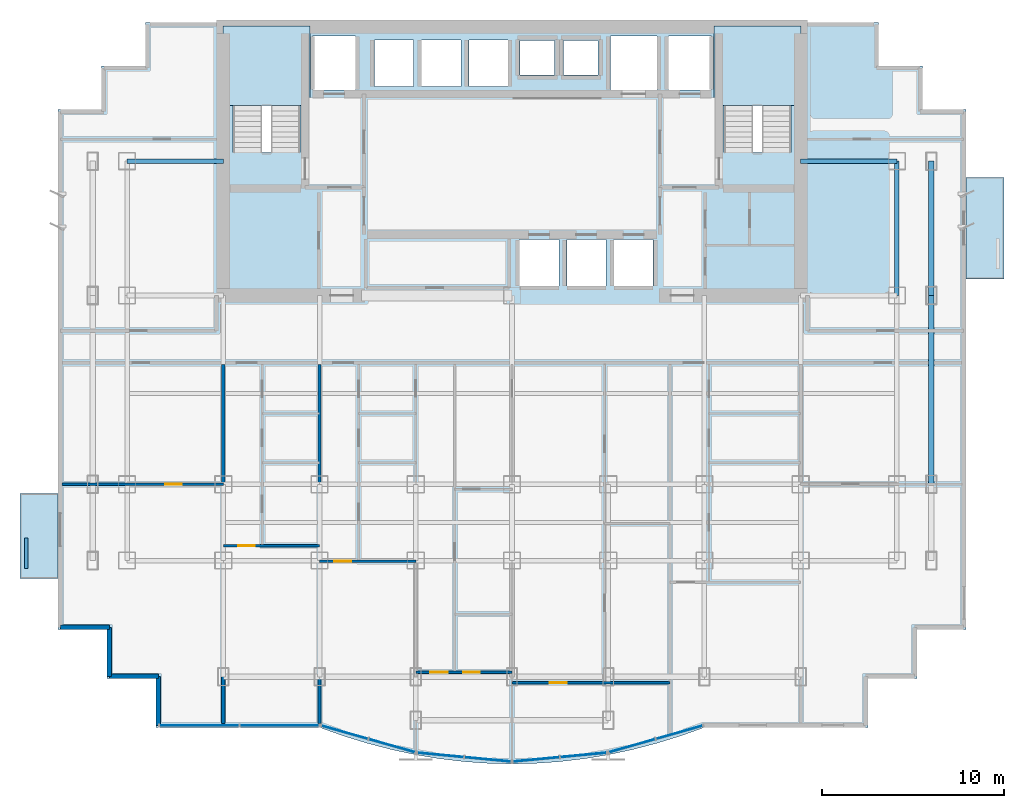
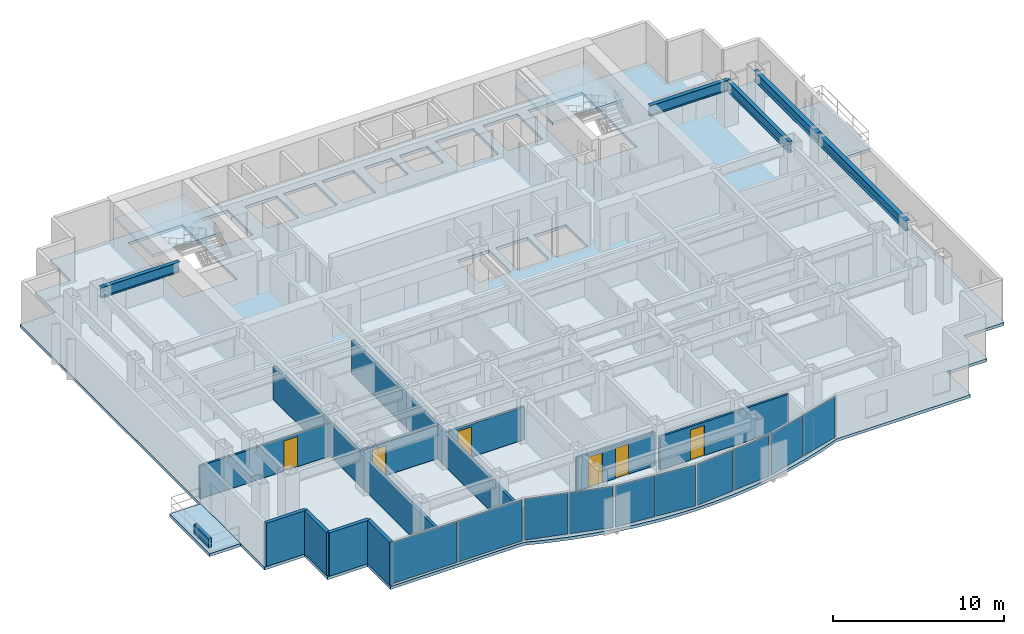
# One storey, part 4 of 10: 12 walls, 10 plates, 6 doors, 5 beams, 5 slabs, 6 openings, 7 elements without a shape of their own.
"""IFC4 building model written with IfcOpenShell, lengths in metres."""

from ifc_helpers import new_model, si_unit, direction, frame, frame_2d, origin, origin_2d, place, context, subcontext, project, spatial, polyline, rectangle, i_section, outline, extrude, source, transform, mapped, material, layer, layer_set, material_profile, profile_set, type_object, element, fill, aggregate, save


model = new_model("IFC4")

# Units and contexts
model_context = context("Model", 3, precision=1e-05, world=origin(), true_north=direction((0.0, 1.0)))
body_context = subcontext(model_context, "Body", "Model", "MODEL_VIEW")
ifc_project = project(units=[si_unit("LENGTHUNIT", "METRE"), si_unit("AREAUNIT", "SQUARE_METRE"), si_unit("VOLUMEUNIT", "CUBIC_METRE"), si_unit("PLANEANGLEUNIT", "RADIAN"), si_unit("MASSUNIT", "GRAM", prefix="KILO")], contexts=[model_context])

# Site, building, storey
site_placement = place(None, origin())
site = spatial("IfcSite", under=ifc_project, at=site_placement, CompositionType="ELEMENT")
building_placement = place(site_placement, origin())
building = spatial("IfcBuilding", under=site, at=building_placement, Name="Qianlan Lanfeng Residences", CompositionType="ELEMENT")
storey_placement = place(building_placement, frame((0.0, 0.0, 118.0)))
storey = spatial("IfcBuildingStorey", under=building, at=storey_placement, Name="L32", CompositionType="ELEMENT", Elevation=118.0)

# Beams
ifc_material_1 = material(Name="Steel SN490B", Category="steel")
ifc_material_profile_1 = material_profile(ifc_material_1, i_section(OverallWidth=0.25, OverallDepth=0.75, WebThickness=0.013916015625, FlangeThickness=0.02490234375, at=origin_2d()), Name="H 750x250x14x25")
ifc_profile_set_1 = profile_set([ifc_material_profile_1], Name="Steel SN490B")
beam_type_1 = type_object("IfcBeamType", Name="G-850", PredefinedType="BEAM", material=ifc_profile_set_1)
for number, where, z_axis, x_axis, name in (
    (1, (5.300048828125, 32.60009765625, 2.715087890625), (1.0, 0.0, 0.0), (0.0, 1.0, 0.0), "Structural beam G-850"),
    (2, (42.39990234375, 32.60009765625, 2.715087890625), (1.0, 0.0, 0.0), (0.0, 1.0, 0.0), "Structural beam G-850"),
):
    element("IfcBeam", number, at=place(storey_placement, frame(where, z_axis=z_axis, x_axis=x_axis)), inside=storey, type_object=beam_type_1, Name=name, PredefinedType="BEAM", context=body_context, shape_type="SweptSolid", body=[
        extrude(i_section(OverallWidth=0.25, OverallDepth=0.75, WebThickness=0.013916015625, FlangeThickness=0.02490234375, at=origin_2d()), origin(), (0.0, 0.0, 1.0), 5.300048828125),
    ])
beam_1_placement = place(storey_placement, frame((47.699951171875, 25.199951171875, 2.715087890625), z_axis=(0.0, 1.0, 0.0), x_axis=(-1.0, 0.0, 0.0)))
element("IfcBeam", 3, at=beam_1_placement, inside=storey, type_object=beam_type_1, Name="Structural beam G-850", PredefinedType="BEAM", context=body_context, shape_type="SweptSolid", body=[
    extrude(i_section(OverallWidth=0.25, OverallDepth=0.75, WebThickness=0.013916015625, FlangeThickness=0.02490234375, at=origin_2d()), origin(), (0.0, 0.0, 1.0), 7.400146484375),
])
ifc_material_profile_2 = material_profile(ifc_material_1, i_section(OverallWidth=0.300048828125, OverallDepth=0.699951171875, WebThickness=0.012939453125, FlangeThickness=0.02392578125, at=origin_2d()), Name="H 700x300x13x24")
ifc_profile_set_2 = profile_set([ifc_material_profile_2], Name="Steel SN490B")
beam_type_2 = type_object("IfcBeamType", Name="SG-750", PredefinedType="SPANDREL", material=ifc_profile_set_2)
beam_2_placement = place(storey_placement, frame((49.60009765625, 14.800048828125, 2.739990234375), z_axis=(0.0, 1.0, 0.0), x_axis=(-1.0, 0.0, 0.0)))
element("IfcBeam", 4, at=beam_2_placement, inside=storey, type_object=beam_type_2, Name="Structural beam SG-750", PredefinedType="SPANDREL", context=body_context, shape_type="SweptSolid", body=[
    extrude(i_section(OverallWidth=0.300048828125, OverallDepth=0.699951171875, WebThickness=0.012939453125, FlangeThickness=0.02392578125, at=origin_2d()), origin(), (0.0, 0.0, 1.0), 10.39990234375),
])
beam_3_placement = place(storey_placement, frame((49.60009765625, 25.199951171875, 2.739990234375), z_axis=(0.0, 1.0, 0.0), x_axis=(-1.0, 0.0, 0.0)))
element("IfcBeam", 5, at=beam_3_placement, inside=storey, type_object=beam_type_2, Name="Structural beam SG-750", PredefinedType="SPANDREL", context=body_context, shape_type="SweptSolid", body=[
    extrude(i_section(OverallWidth=0.300048828125, OverallDepth=0.699951171875, WebThickness=0.012939453125, FlangeThickness=0.02392578125, at=origin_2d()), origin(), (0.0, 0.0, 1.0), 7.400146484375),
])

# Slabs
ifc_material_2 = material(Name="Concrete C42", Category="concrete")
ifc_layer_1 = layer(ifc_material_2, 0.2099609375)
ifc_layer_set_1 = layer_set([ifc_layer_1], Name="Concrete C42")
slab_type_1 = type_object("IfcSlabType", Name="S-BAL-210", PredefinedType="FLOOR", material=ifc_layer_set_1)
slab_1_placement = place(storey_placement, frame((0.0, 0.0, -0.2099609375)))
element("IfcSlab", 6, at=slab_1_placement, inside=storey, type_object=slab_type_1, Name="L32 Planted Tree Balcony Slab WB-S", PredefinedType="FLOOR", context=body_context, shape_type="SweptSolid", body=[
    extrude(outline(polyline([(1.5, 9.60009765625), (1.5, 14.300048828125), (-0.60009765625, 14.300048828125), (-0.60009765625, 9.60009765625), (1.5, 9.60009765625)])), origin(), (0.0, 0.0, 1.0), 0.2099609375),
])
slab_2_placement = place(storey_placement, frame((0.0, 0.0, -0.2099609375)))
element("IfcSlab", 7, at=slab_2_placement, inside=storey, type_object=slab_type_1, Name="L32 Planted Tree Balcony Slab EB-N", PredefinedType="FLOOR", context=body_context, shape_type="SweptSolid", body=[
    extrude(outline(polyline([(51.5, 31.699951171875), (51.5, 26.10009765625), (53.60009765625, 26.10009765625), (53.60009765625, 31.699951171875), (51.5, 31.699951171875)])), origin(), (0.0, 0.0, 1.0), 0.2099609375),
])
ifc_layer_2 = layer(ifc_material_2, 0.2099609375)
ifc_layer_set_2 = layer_set([ifc_layer_2], Name="Concrete C42")
slab_type_2 = type_object("IfcSlabType", Name="S-FL-210", PredefinedType="FLOOR", material=ifc_layer_set_2)
slab_3_placement = place(storey_placement, frame((0.0, 0.0, -0.2099609375)))
element("IfcSlab", 8, at=slab_3_placement, inside=storey, type_object=slab_type_2, Name="L32 Structural Floor Slab", PredefinedType="FLOOR", context=body_context, shape_type="SweptSolid", body=[
    extrude(outline(polyline([(1.5, 6.800048828125), (4.199951171875, 6.800048828125), (4.199951171875, 4.10009765625), (6.89990234375, 4.10009765625), (6.89990234375, 1.39990234375), (15.919921875, 1.39990234375), (17.241943359375, 0.930908203125), (18.56494140625, 0.52490234375), (19.886962890625, 0.180908203125), (21.2099609375, -0.10009765625), (22.531982421875, -0.319091796875), (23.85498046875, -0.47509765625), (25.177001953125, -0.569091796875), (26.5, -0.60009765625), (27.822021484375, -0.569091796875), (29.14501953125, -0.47509765625), (30.467041015625, -0.319091796875), (31.7900390625, -0.10009765625), (33.112060546875, 0.180908203125), (34.43505859375, 0.52490234375), (35.758056640625, 0.930908203125), (37.080078125, 1.39990234375), (46.10009765625, 1.39990234375), (46.10009765625, 4.10009765625), (48.800048828125, 4.10009765625), (48.800048828125, 6.800048828125), (51.5, 6.800048828125), (51.5, 35.449951171875), (49.10009765625, 35.449951171875), (49.10009765625, 37.85009765625), (46.699951171875, 37.85009765625), (46.699951171875, 40.25), (6.300048828125, 40.25), (6.300048828125, 37.85009765625), (3.89990234375, 37.85009765625), (3.89990234375, 35.449951171875), (1.5, 35.449951171875), (1.5, 6.800048828125)]), holes=[polyline([(11.139892578125, 33.080078125), (11.139892578125, 39.5), (14.820068359375, 39.5), (14.820068359375, 33.080078125), (11.139892578125, 33.080078125)]), polyline([(38.179931640625, 33.080078125), (38.179931640625, 39.5), (41.860107421875, 39.5), (41.860107421875, 33.080078125), (38.179931640625, 33.080078125)]), polyline([(15.52001953125, 36.52001953125), (15.52001953125, 39.47998046875), (17.8798828125, 39.47998046875), (17.8798828125, 36.52001953125), (15.52001953125, 36.52001953125)]), polyline([(35.1201171875, 36.52001953125), (35.1201171875, 39.47998046875), (37.47998046875, 39.47998046875), (37.47998046875, 36.52001953125), (35.1201171875, 36.52001953125)]), polyline([(31.919921875, 36.52001953125), (31.919921875, 39.47998046875), (34.47998046875, 39.47998046875), (34.47998046875, 36.52001953125), (31.919921875, 36.52001953125)]), polyline([(26.919921875, 25.719970703125), (26.919921875, 28.280029296875), (29.080078125, 28.280029296875), (29.080078125, 25.719970703125), (26.919921875, 25.719970703125)]), polyline([(29.52001953125, 25.719970703125), (29.52001953125, 28.280029296875), (31.679931640625, 28.280029296875), (31.679931640625, 25.719970703125), (29.52001953125, 25.719970703125)]), polyline([(32.1201171875, 25.719970703125), (32.1201171875, 28.280029296875), (34.280029296875, 28.280029296875), (34.280029296875, 25.719970703125), (32.1201171875, 25.719970703125)]), polyline([(18.919921875, 36.719970703125), (18.919921875, 39.280029296875), (21.080078125, 39.280029296875), (21.080078125, 36.719970703125), (18.919921875, 36.719970703125)]), polyline([(21.52001953125, 36.719970703125), (21.52001953125, 39.280029296875), (23.679931640625, 39.280029296875), (23.679931640625, 36.719970703125), (21.52001953125, 36.719970703125)]), polyline([(24.1201171875, 36.719970703125), (24.1201171875, 39.280029296875), (26.280029296875, 39.280029296875), (26.280029296875, 36.719970703125), (24.1201171875, 36.719970703125)]), polyline([(26.949951171875, 37.35009765625), (26.949951171875, 39.25), (28.85009765625, 39.25), (28.85009765625, 37.35009765625), (26.949951171875, 37.35009765625)]), polyline([(29.35009765625, 37.35009765625), (29.35009765625, 39.25), (31.25, 39.25), (31.25, 37.35009765625), (29.35009765625, 37.35009765625)])]), origin(), (0.0, 0.0, 1.0), 0.2099609375),
])

# Stair, slab
stair_type = type_object("IfcStairType", Name="STR-MAIN", PredefinedType="HALF_TURN_STAIR", material=ifc_material_2)
stair_1_placement = place(storey_placement, origin())
stair_1 = element("IfcStair", 9, at=stair_1_placement, inside=storey, type_object=stair_type, Name="L32 Exit Stair ST-1", PredefinedType="HALF_TURN_STAIR")
ifc_layer_3 = layer(ifc_material_2, 0.179931640625)
ifc_layer_set_3 = layer_set([ifc_layer_3], Name="Concrete C42")
slab_type_3 = type_object("IfcSlabType", Name="S-LND-180", PredefinedType="LANDING", material=ifc_layer_set_3)
slab_4_placement = place(storey_placement, frame((0.0, 0.0, 1.449951171875)))
slab_4 = element("IfcSlab", 10, at=slab_4_placement, type_object=slab_type_3, Name="ST-1 landing 1", PredefinedType="LANDING", context=body_context, shape_type="SweptSolid", body=[
    extrude(outline(polyline([(10.580078125, 35.659912109375), (15.3798828125, 35.659912109375), (15.3798828125, 40.050048828125), (10.580078125, 40.050048828125), (10.580078125, 35.659912109375)])), origin(), (0.0, 0.0, 1.0), 0.199951171875),
])
aggregate(stair_1, [slab_4])

stair_2_placement = place(storey_placement, origin())
stair_2 = element("IfcStair", 11, at=stair_2_placement, inside=storey, type_object=stair_type, Name="L32 Exit Stair ST-2", PredefinedType="HALF_TURN_STAIR")
slab_5_placement = place(storey_placement, frame((0.0, 0.0, 1.449951171875)))
slab_5 = element("IfcSlab", 12, at=slab_5_placement, type_object=slab_type_3, Name="ST-2 landing 1", PredefinedType="LANDING", context=body_context, shape_type="SweptSolid", body=[
    extrude(outline(polyline([(37.6201171875, 35.659912109375), (42.419921875, 35.659912109375), (42.419921875, 40.050048828125), (37.6201171875, 40.050048828125), (37.6201171875, 35.659912109375)])), origin(), (0.0, 0.0, 1.0), 0.199951171875),
])
aggregate(stair_2, [slab_5])

# Curtain wall, plates
ifc_material_3 = material(Name="Anodised Bronze Aluminium 6063-T6", Category="aluminium")
ifc_layer_4 = layer(ifc_material_3, 0.219970703125)
ifc_layer_set_4 = layer_set([ifc_layer_4], Name="Anodised Bronze Aluminium 6063-T6")
curtain_wall_type = type_object("IfcCurtainWallType", Name="CW-03", PredefinedType="NOTDEFINED", material=ifc_layer_set_4)
curtain_wall_1_placement = place(storey_placement, origin())
curtain_wall_1 = element("IfcCurtainWall", 13, at=curtain_wall_1_placement, inside=storey, type_object=curtain_wall_type, Name="L32 Unitised Curtain Wall CWR-L32-01 (CW-03)", PredefinedType="NOTDEFINED")
ifc_material_4 = material(Name="Dark Bronze Tinted Insulated Glass", Category="glass")
ifc_layer_5 = layer(ifc_material_4, 0.0380859375)
ifc_layer_set_5 = layer_set([ifc_layer_5], Name="Dark Bronze Tinted Insulated Glass")
plate_type_1 = type_object("IfcPlateType", Name="PNL-GLZ-BRZ", PredefinedType="CURTAIN_PANEL", material=ifc_layer_set_5)
shared_shape_1 = source(origin(), body_context, "Body", "SweptSolid", [
    extrude(rectangle(XDim=4.342529296875, YDim=0.0380859375, at=origin_2d()), origin(), (0.0, 0.0, 1.0), 2.931884765625),
])
plate_1_placement = place(storey_placement, frame((9.270263671875, 1.52001953125, 0.0791015625), z_axis=(0.0, 0.0, 1.0), x_axis=(1.0, 0.0, 0.0)))
plate_1 = element("IfcPlate", 14, at=plate_1_placement, type_object=plate_type_1, Name="CWR-L32-01 Curtain Panel 1", PredefinedType="CURTAIN_PANEL", context=body_context, shape_type="MappedRepresentation", body=[
    mapped(shared_shape_1, transform((0.0, 0.0, 0.0), scale=1.0)),
])
plate_2_placement = place(storey_placement, frame((13.690673828125, 1.52001953125, 0.0791015625), z_axis=(0.0, 0.0, 1.0), x_axis=(1.0, 0.0, 0.0)))
plate_2 = element("IfcPlate", 15, at=plate_2_placement, type_object=plate_type_1, Name="CWR-L32-01 Curtain Panel 2", PredefinedType="CURTAIN_PANEL", context=body_context, shape_type="MappedRepresentation", body=[
    mapped(shared_shape_1, transform((0.0, 0.0, 0.0), scale=1.0)),
])
aggregate(curtain_wall_1, [plate_1, plate_2])

# Curtain wall, plate
curtain_wall_2_placement = place(storey_placement, origin())
curtain_wall_2 = element("IfcCurtainWall", 16, at=curtain_wall_2_placement, inside=storey, type_object=curtain_wall_type, Name="L32 Unitised Curtain Wall CWR-L32-02 (CW-03)", PredefinedType="NOTDEFINED")
shared_shape_2 = source(origin(), body_context, "Body", "SweptSolid", [
    extrude(rectangle(XDim=2.632080078125, YDim=0.0380859375, at=origin_2d()), origin(), (0.0, 0.0, 1.0), 2.931884765625),
])
plate_3_placement = place(storey_placement, frame((17.282958984375, 1.138916015625, 0.0791015625), z_axis=(0.0, 0.0, 1.0), x_axis=(0.961989074302, -0.273087936247, 0.0)))
plate_3 = element("IfcPlate", 17, at=plate_3_placement, type_object=plate_type_1, Name="CWR-L32-02 Curtain Panel 1", PredefinedType="CURTAIN_PANEL", context=body_context, shape_type="MappedRepresentation", body=[
    mapped(shared_shape_2, transform((0.0, 0.0, 0.0), scale=1.0)),
])

# Curtain wall, plates
curtain_wall_3_placement = place(storey_placement, origin())
curtain_wall_3 = element("IfcCurtainWall", 18, at=curtain_wall_3_placement, inside=storey, type_object=curtain_wall_type, Name="L32 Unitised Curtain Wall CWR-L32-05 (CW-03)", PredefinedType="NOTDEFINED")
plate_4_placement = place(storey_placement, frame((33.110107421875, 0.39892578125, 0.0791015625), z_axis=(0.0, 0.0, 1.0), x_axis=(0.961989074302, 0.273087936247, 0.0)))
plate_4 = element("IfcPlate", 19, at=plate_4_placement, type_object=plate_type_1, Name="CWR-L32-05 Curtain Panel 1", PredefinedType="CURTAIN_PANEL", context=body_context, shape_type="MappedRepresentation", body=[
    mapped(shared_shape_2, transform((0.0, 0.0, 0.0), scale=1.0)),
])
plate_5_placement = place(storey_placement, frame((35.717041015625, 1.138916015625, 0.0791015625), z_axis=(0.0, 0.0, 1.0), x_axis=(0.961989074302, 0.273087936247, 0.0)))
plate_5 = element("IfcPlate", 20, at=plate_5_placement, type_object=plate_type_1, Name="CWR-L32-05 Curtain Panel 2", PredefinedType="CURTAIN_PANEL", context=body_context, shape_type="MappedRepresentation", body=[
    mapped(shared_shape_2, transform((0.0, 0.0, 0.0), scale=1.0)),
])
aggregate(curtain_wall_3, [plate_4, plate_5])

# Plate
ifc_material_5 = material(Name="Perforated Champagne Gold Aluminium Panel", Category="aluminium")
ifc_layer_6 = layer(ifc_material_5, 0.0400390625)
ifc_layer_set_6 = layer_set([ifc_layer_6], Name="Perforated Champagne Gold Aluminium Panel")
plate_type_2 = type_object("IfcPlateType", Name="PNL-PRF-GLD", PredefinedType="CURTAIN_PANEL", material=ifc_layer_set_6)
shared_shape_3 = source(origin(), body_context, "Body", "SweptSolid", [
    extrude(rectangle(XDim=2.632080078125, YDim=0.0400390625, at=origin_2d()), origin(), (0.0, 0.0, 1.0), 2.931884765625),
])
plate_6_placement = place(storey_placement, frame((19.889892578125, 0.39892578125, 0.0791015625), z_axis=(0.0, 0.0, 1.0), x_axis=(0.961989074302, -0.273087936247, 0.0)))
plate_6 = element("IfcPlate", 21, at=plate_6_placement, type_object=plate_type_2, Name="CWR-L32-02 Curtain Panel 2", PredefinedType="CURTAIN_PANEL", context=body_context, shape_type="MappedRepresentation", body=[
    mapped(shared_shape_3, transform((0.0, 0.0, 0.0), scale=1.0)),
])

aggregate(curtain_wall_2, [plate_3, plate_6])

# Curtain wall, plate
curtain_wall_4_placement = place(storey_placement, origin())
curtain_wall_4 = element("IfcCurtainWall", 22, at=curtain_wall_4_placement, inside=storey, type_object=curtain_wall_type, Name="L32 Unitised Curtain Wall CWR-L32-03 (CW-03)", PredefinedType="NOTDEFINED")
shared_shape_4 = source(origin(), body_context, "Body", "SweptSolid", [
    extrude(rectangle(XDim=2.527587890625, YDim=0.0380859375, at=origin_2d()), origin(), (0.0, 0.0, 1.0), 2.931884765625),
])
plate_7_placement = place(storey_placement, frame((22.56884765625, -0.1083984375, 0.0791015625), z_axis=(0.0, 0.0, 1.0), x_axis=(0.995561471839, -0.094113526067, 0.0)))
plate_7 = element("IfcPlate", 23, at=plate_7_placement, type_object=plate_type_1, Name="CWR-L32-03 Curtain Panel 1", PredefinedType="CURTAIN_PANEL", context=body_context, shape_type="MappedRepresentation", body=[
    mapped(shared_shape_4, transform((0.0, 0.0, 0.0), scale=1.0)),
])

curtain_wall_5_placement = place(storey_placement, origin())
curtain_wall_5 = element("IfcCurtainWall", 24, at=curtain_wall_5_placement, inside=storey, type_object=curtain_wall_type, Name="L32 Unitised Curtain Wall CWR-L32-04 (CW-03)", PredefinedType="NOTDEFINED")
plate_8_placement = place(storey_placement, frame((27.8369140625, -0.353515625, 0.0791015625), z_axis=(0.0, 0.0, 1.0), x_axis=(0.995561471839, 0.094113526067, 0.0)))
plate_8 = element("IfcPlate", 25, at=plate_8_placement, type_object=plate_type_1, Name="CWR-L32-04 Curtain Panel 1", PredefinedType="CURTAIN_PANEL", context=body_context, shape_type="MappedRepresentation", body=[
    mapped(shared_shape_4, transform((0.0, 0.0, 0.0), scale=1.0)),
])

# Plate
shared_shape_5 = source(origin(), body_context, "Body", "SweptSolid", [
    extrude(rectangle(XDim=2.52783203125, YDim=0.0380859375, at=origin_2d()), origin(), (0.0, 0.0, 1.0), 2.931884765625),
])
plate_9_placement = place(storey_placement, frame((25.1630859375, -0.353515625, 0.0791015625), z_axis=(0.0, 0.0, 1.0), x_axis=(0.995561471839, -0.094113526067, 0.0)))
plate_9 = element("IfcPlate", 26, at=plate_9_placement, type_object=plate_type_1, Name="CWR-L32-03 Curtain Panel 2", PredefinedType="CURTAIN_PANEL", context=body_context, shape_type="MappedRepresentation", body=[
    mapped(shared_shape_5, transform((0.0, 0.0, 0.0), scale=1.0)),
])

aggregate(curtain_wall_4, [plate_7, plate_9])

shared_shape_6 = source(origin(), body_context, "Body", "SweptSolid", [
    extrude(rectangle(XDim=2.52783203125, YDim=0.0400390625, at=origin_2d()), origin(), (0.0, 0.0, 1.0), 2.931884765625),
])
plate_10_placement = place(storey_placement, frame((30.43115234375, -0.1083984375, 0.0791015625), z_axis=(0.0, 0.0, 1.0), x_axis=(0.995561471839, 0.094113526067, 0.0)))
plate_10 = element("IfcPlate", 27, at=plate_10_placement, type_object=plate_type_2, Name="CWR-L32-04 Curtain Panel 2", PredefinedType="CURTAIN_PANEL", context=body_context, shape_type="MappedRepresentation", body=[
    mapped(shared_shape_6, transform((0.0, 0.0, 0.0), scale=1.0)),
])

aggregate(curtain_wall_5, [plate_8, plate_10])

# Walls
ifc_layer_7 = layer(ifc_material_2, 0.239990234375)
ifc_layer_set_7 = layer_set([ifc_layer_7], Name="Concrete C42")
wall_type_1 = type_object("IfcWallType", Name="EW-240", PredefinedType="SOLIDWALL", material=ifc_layer_set_7)
for number, where, z_axis, x_axis, name in (
    (28, (1.6201171875, 6.919921875, 0.0), (0.0, 0.0, 1.0), (1.0, 0.0, 0.0), "L32 Exterior Facade Spandrel Wall 1"),
    (29, (4.320068359375, 6.919921875, 0.0), (0.0, 0.0, 1.0), (0.0, -1.0, 0.0), "L32 Exterior Facade Spandrel Wall 2"),
    (30, (4.320068359375, 4.219970703125, 0.0), (0.0, 0.0, 1.0), (1.0, 0.0, 0.0), "L32 Exterior Facade Spandrel Wall 3"),
    (31, (7.02001953125, 4.219970703125, 0.0), (0.0, 0.0, 1.0), (0.0, -1.0, 0.0), "L32 Exterior Facade Spandrel Wall 4"),
):
    element("IfcWall", number, at=place(storey_placement, frame(where, z_axis=z_axis, x_axis=x_axis)), inside=storey, type_object=wall_type_1, Name=name, PredefinedType="SOLIDWALL", context=body_context, shape_type="SweptSolid", body=[
        extrude(rectangle(XDim=2.699951171875, YDim=0.239990234375, at=frame_2d((1.35009765625, 0.0))), origin(), (0.0, 0.0, 1.0), 3.090087890625),
    ])
ifc_layer_8 = layer(ifc_material_2, 0.199951171875)
ifc_layer_set_8 = layer_set([ifc_layer_8], Name="Concrete C42")
wall_type_2 = type_object("IfcWallType", Name="PL-TREE-200", PredefinedType="PARAPET", material=ifc_layer_set_8)
wall_1_placement = place(storey_placement, frame((-0.25, 10.14990234375, 0.0), z_axis=(0.0, 0.0, 1.0), x_axis=(0.0, 1.0, 0.0)))
element("IfcWall", 32, at=wall_1_placement, inside=storey, type_object=wall_type_2, Name="L32 West Tree Planter Curb WB-S", PredefinedType="PARAPET", context=body_context, shape_type="SweptSolid", body=[
    extrude(rectangle(XDim=1.7001953125, YDim=0.199951171875, at=frame_2d((0.85009765625, 0.0))), origin(), (0.0, 0.0, 1.0), 0.64990234375),
])

# Wall, opening, door
ifc_material_6 = material(Name="Moisture-Resistant Gypsum Partition 135 mm")
ifc_layer_9 = layer(ifc_material_6, 0.135009765625)
ifc_layer_set_9 = layer_set([ifc_layer_9], Name="Moisture-Resistant Gypsum Partition 135 mm")
wall_type_3 = type_object("IfcWallType", Name="PW-135", PredefinedType="PARTITIONING", material=ifc_layer_set_9)
wall_2_placement = place(storey_placement, frame((10.60009765625, 11.419921875, 0.0), z_axis=(0.0, 0.0, 1.0), x_axis=(1.0, 0.0, 0.0)))
wall_2 = element("IfcWall", 33, at=wall_2_placement, inside=storey, type_object=wall_type_3, Name="L32 U01 Living Divider", PredefinedType="PARTITIONING", context=body_context, shape_type="SweptSolid", body=[
    extrude(rectangle(XDim=5.2998046875, YDim=0.135009765625, at=frame_2d((2.64990234375, 0.0))), origin(), (0.0, 0.0, 1.0), 2.3798828125),
])
opening_1_placement = place(wall_2_placement, frame((0.81494140625, 0.0, 0.0)))
opening_1 = element("IfcOpeningElement", 34, at=opening_1_placement, cuts=wall_2, Name="Opening L32-D17", PredefinedType="OPENING", context=body_context, shape_type="SweptSolid", body=[
    extrude(rectangle(XDim=0.919921875, YDim=2.14990234375, at=frame_2d((0.4599609375, 1.074951171875))), frame((0.0, 0.07763671875, 0.0), z_axis=(0.0, -1.0, 0.0), x_axis=(1.0, 0.0, 0.0)), (0.0, 0.0, 1.0), 0.155029296875),
])
ifc_material_7 = material(Name="Glazed Timber Kitchen/Study Door", Category="wood")
door_type_1 = type_object("IfcDoorType", Name="DT-INT", OperationType="NOTDEFINED", PredefinedType="DOOR", material=ifc_material_7)
door_1_placement = place(opening_1_placement, origin())
door_1 = element("IfcDoor", 35, at=door_1_placement, inside=storey, type_object=door_type_1, Name="L32 U01 Living Passage Door L32-D17 (DT-INT)", OperationType="SINGLE_SWING_LEFT", OverallHeight=2.14990234375, OverallWidth=0.919921875, PredefinedType="DOOR", context=body_context, shape_type="SweptSolid", body=[
    extrude(rectangle(XDim=0.919921875, YDim=2.14990234375, at=frame_2d((0.4599609375, 1.074951171875))), frame((0.0, 0.02490234375, 0.0), z_axis=(0.0, -1.0, 0.0), x_axis=(1.0, 0.0, 0.0)), (0.0, 0.0, 1.0), 0.050048828125),
])
fill(opening_1, door_1)

wall_3_placement = place(storey_placement, frame((15.89990234375, 10.56005859375, 0.0), z_axis=(0.0, 0.0, 1.0), x_axis=(1.0, 0.0, 0.0)))
wall_3 = element("IfcWall", 36, at=wall_3_placement, inside=storey, type_object=wall_type_3, Name="L32 U02 Living Divider", PredefinedType="PARTITIONING", context=body_context, shape_type="SweptSolid", body=[
    extrude(rectangle(XDim=5.300048828125, YDim=0.135009765625, at=frame_2d((2.64990234375, 0.0))), origin(), (0.0, 0.0, 1.0), 2.3349609375),
])
opening_2_placement = place(wall_3_placement, frame((0.81494140625, 0.0, 0.0)))
opening_2 = element("IfcOpeningElement", 37, at=opening_2_placement, cuts=wall_3, Name="Opening L32-D24", PredefinedType="OPENING", context=body_context, shape_type="SweptSolid", body=[
    extrude(rectangle(XDim=0.919921875, YDim=2.14990234375, at=frame_2d((0.4599609375, 1.074951171875))), frame((0.0, 0.07763671875, 0.0), z_axis=(0.0, -1.0, 0.0), x_axis=(1.0, 0.0, 0.0)), (0.0, 0.0, 1.0), 0.155029296875),
])
door_2_placement = place(opening_2_placement, origin())
door_2 = element("IfcDoor", 38, at=door_2_placement, inside=storey, type_object=door_type_1, Name="L32 U02 Living Passage Door L32-D24 (DT-INT)", OperationType="SINGLE_SWING_RIGHT", OverallHeight=2.14990234375, OverallWidth=0.919921875, PredefinedType="DOOR", context=body_context, shape_type="SweptSolid", body=[
    extrude(rectangle(XDim=0.919921875, YDim=2.14990234375, at=frame_2d((0.4599609375, 1.074951171875))), frame((0.0, 0.02490234375, 0.0), z_axis=(0.0, -1.0, 0.0), x_axis=(1.0, 0.0, 0.0)), (0.0, 0.0, 1.0), 0.050048828125),
])
fill(opening_2, door_2)

# Wall, openings, doors
wall_4_placement = place(storey_placement, frame((21.199951171875, 4.447021484375, 0.0), z_axis=(0.0, 0.0, 1.0), x_axis=(1.0, 0.0, 0.0)))
wall_4 = element("IfcWall", 39, at=wall_4_placement, inside=storey, type_object=wall_type_3, Name="L32 U02 Master Bedroom North Wall", PredefinedType="PARTITIONING", context=body_context, shape_type="SweptSolid", body=[
    extrude(rectangle(XDim=5.300048828125, YDim=0.135009765625, at=frame_2d((2.64990234375, 0.0))), origin(), (0.0, 0.0, 1.0), 2.3798828125),
])
opening_3_placement = place(wall_4_placement, frame((0.800048828125, 0.0, 0.0)))
opening_3 = element("IfcOpeningElement", 40, at=opening_3_placement, cuts=wall_4, Name="Opening L32-D28", PredefinedType="OPENING", context=body_context, shape_type="SweptSolid", body=[
    extrude(rectangle(XDim=0.949951171875, YDim=2.14990234375, at=frame_2d((0.47509765625, 1.074951171875))), frame((0.0, 0.07763671875, 0.0), z_axis=(0.0, -1.0, 0.0), x_axis=(1.0, 0.0, 0.0)), (0.0, 0.0, 1.0), 0.155029296875),
])
opening_4_placement = place(wall_4_placement, frame((2.625, 0.0, 0.0)))
opening_4 = element("IfcOpeningElement", 41, at=opening_4_placement, cuts=wall_4, Name="Opening L32-D29", PredefinedType="OPENING", context=body_context, shape_type="SweptSolid", body=[
    extrude(rectangle(XDim=0.89990234375, YDim=2.14990234375, at=frame_2d((0.449951171875, 1.074951171875))), frame((0.0, 0.07763671875, 0.0), z_axis=(0.0, -1.0, 0.0), x_axis=(1.0, 0.0, 0.0)), (0.0, 0.0, 1.0), 0.155029296875),
])
ifc_material_8 = material(Name="Painted Solid-Core Timber Leaf", Category="wood")
door_type_2 = type_object("IfcDoorType", Name="DT-BED", OperationType="NOTDEFINED", PredefinedType="DOOR", material=ifc_material_8)
door_3_placement = place(opening_3_placement, origin())
door_3 = element("IfcDoor", 42, at=door_3_placement, inside=storey, type_object=door_type_2, Name="L32 U02 Master Bedroom Door L32-D28 (DT-BED)", OperationType="SINGLE_SWING_RIGHT", OverallHeight=2.14990234375, OverallWidth=0.949951171875, PredefinedType="DOOR", context=body_context, shape_type="SweptSolid", body=[
    extrude(rectangle(XDim=0.949951171875, YDim=2.14990234375, at=frame_2d((0.47509765625, 1.074951171875))), frame((0.0, 0.02490234375, 0.0), z_axis=(0.0, -1.0, 0.0), x_axis=(1.0, 0.0, 0.0)), (0.0, 0.0, 1.0), 0.050048828125),
])
fill(opening_3, door_3)
ifc_material_9 = material(Name="Moisture-Resistant Timber Leaf", Category="wood")
door_type_3 = type_object("IfcDoorType", Name="DT-WC", OperationType="NOTDEFINED", PredefinedType="DOOR", material=ifc_material_9)
door_4_placement = place(opening_4_placement, origin())
door_4 = element("IfcDoor", 43, at=door_4_placement, inside=storey, type_object=door_type_3, Name="L32 U02 En-Suite Bathroom Door L32-D29 (DT-WC)", OperationType="SINGLE_SWING_RIGHT", OverallHeight=2.14990234375, OverallWidth=0.89990234375, PredefinedType="DOOR", context=body_context, shape_type="SweptSolid", body=[
    extrude(rectangle(XDim=0.89990234375, YDim=2.14990234375, at=frame_2d((0.449951171875, 1.074951171875))), frame((0.0, 0.02490234375, 0.0), z_axis=(0.0, -1.0, 0.0), x_axis=(1.0, 0.0, 0.0)), (0.0, 0.0, 1.0), 0.050048828125),
])
fill(opening_4, door_4)

# Wall, opening, door
wall_5_placement = place(storey_placement, frame((26.5, 3.875, 0.0), z_axis=(0.0, 0.0, 1.0), x_axis=(1.0, 0.0, 0.0)))
wall_5 = element("IfcWall", 44, at=wall_5_placement, inside=storey, type_object=wall_type_3, Name="L32 U02 Bedroom 2 North Wall", PredefinedType="PARTITIONING", context=body_context, shape_type="SweptSolid", body=[
    extrude(rectangle(XDim=8.699951171875, YDim=0.135009765625, at=frame_2d((4.35009765625, 0.0))), origin(), (0.0, 0.0, 1.0), 2.3798828125),
])
opening_5_placement = place(wall_5_placement, frame((2.074951171875, 0.0, 0.0)))
opening_5 = element("IfcOpeningElement", 45, at=opening_5_placement, cuts=wall_5, Name="Opening L32-D32", PredefinedType="OPENING", context=body_context, shape_type="SweptSolid", body=[
    extrude(rectangle(XDim=0.949951171875, YDim=2.14990234375, at=frame_2d((0.47509765625, 1.074951171875))), frame((0.0, 0.07763671875, 0.0), z_axis=(0.0, -1.0, 0.0), x_axis=(1.0, 0.0, 0.0)), (0.0, 0.0, 1.0), 0.155029296875),
])
door_5_placement = place(opening_5_placement, origin())
door_5 = element("IfcDoor", 46, at=door_5_placement, inside=storey, type_object=door_type_2, Name="L32 U02 Bedroom 2 Door L32-D32 (DT-BED)", OperationType="SINGLE_SWING_RIGHT", OverallHeight=2.14990234375, OverallWidth=0.949951171875, PredefinedType="DOOR", context=body_context, shape_type="SweptSolid", body=[
    extrude(rectangle(XDim=0.949951171875, YDim=2.14990234375, at=frame_2d((0.47509765625, 1.074951171875))), frame((0.0, 0.02490234375, 0.0), z_axis=(0.0, -1.0, 0.0), x_axis=(1.0, 0.0, 0.0)), (0.0, 0.0, 1.0), 0.050048828125),
])
fill(opening_5, door_5)

wall_6_placement = place(storey_placement, frame((1.719970703125, 14.800048828125, 0.0), z_axis=(0.0, 0.0, 1.0), x_axis=(1.0, 0.0, 0.0)))
wall_6 = element("IfcWall", 47, at=wall_6_placement, inside=storey, type_object=wall_type_3, Name="L32 SWP Mid Partition", PredefinedType="PARTITIONING", context=body_context, shape_type="SweptSolid", body=[
    extrude(rectangle(XDim=8.880126953125, YDim=0.135009765625, at=frame_2d((4.43994140625, 0.0))), origin(), (0.0, 0.0, 1.0), 2.3349609375),
])
opening_6_placement = place(wall_6_placement, frame((5.679931640625, 0.0, 0.0)))
opening_6 = element("IfcOpeningElement", 48, at=opening_6_placement, cuts=wall_6, Name="Opening L32-D40", PredefinedType="OPENING", context=body_context, shape_type="SweptSolid", body=[
    extrude(rectangle(XDim=0.919921875, YDim=2.14990234375, at=frame_2d((0.4599609375, 1.074951171875))), frame((0.0, 0.07763671875, 0.0), z_axis=(0.0, -1.0, 0.0), x_axis=(1.0, 0.0, 0.0)), (0.0, 0.0, 1.0), 0.155029296875),
])
door_6_placement = place(opening_6_placement, origin())
door_6 = element("IfcDoor", 49, at=door_6_placement, inside=storey, type_object=door_type_1, Name="L32 SWP Inner Door L32-D40 (DT-INT)", OperationType="SINGLE_SWING_RIGHT", OverallHeight=2.14990234375, OverallWidth=0.919921875, PredefinedType="DOOR", context=body_context, shape_type="SweptSolid", body=[
    extrude(rectangle(XDim=0.919921875, YDim=2.14990234375, at=frame_2d((0.4599609375, 1.074951171875))), frame((0.0, 0.02490234375, 0.0), z_axis=(0.0, -1.0, 0.0), x_axis=(1.0, 0.0, 0.0)), (0.0, 0.0, 1.0), 0.050048828125),
])
fill(opening_6, door_6)

# Walls
ifc_material_10 = material(Name="Double-Layer Acoustic Gypsum Stud Wall 180 mm")
ifc_layer_10 = layer(ifc_material_10, 0.179931640625)
ifc_layer_set_10 = layer_set([ifc_layer_10], Name="Double-Layer Acoustic Gypsum Stud Wall 180 mm")
wall_type_4 = type_object("IfcWallType", Name="PW-180", PredefinedType="PARTITIONING", material=ifc_layer_set_10)
for number, where, z_axis, x_axis, name in (
    (50, (10.60009765625, 1.6201171875, 0.0), (0.0, 0.0, 1.0), (0.0, 1.0, 0.0), "L32 Wing Boundary Party Wall W0"),
    (51, (15.89990234375, 1.6201171875, 0.0), (0.0, 0.0, 1.0), (0.0, 1.0, 0.0), "L32 Inter-Tenancy Party Wall 2"),
):
    element("IfcWall", number, at=place(storey_placement, frame(where, z_axis=z_axis, x_axis=x_axis)), inside=storey, type_object=wall_type_4, Name=name, PredefinedType="PARTITIONING", context=body_context, shape_type="SweptSolid", body=[
        extrude(rectangle(XDim=19.77978515625, YDim=0.179931640625, at=frame_2d((9.889892578125, 0.0))), origin(), (0.0, 0.0, 1.0), 2.3349609375),
    ])

save(model, "model.ifc")
